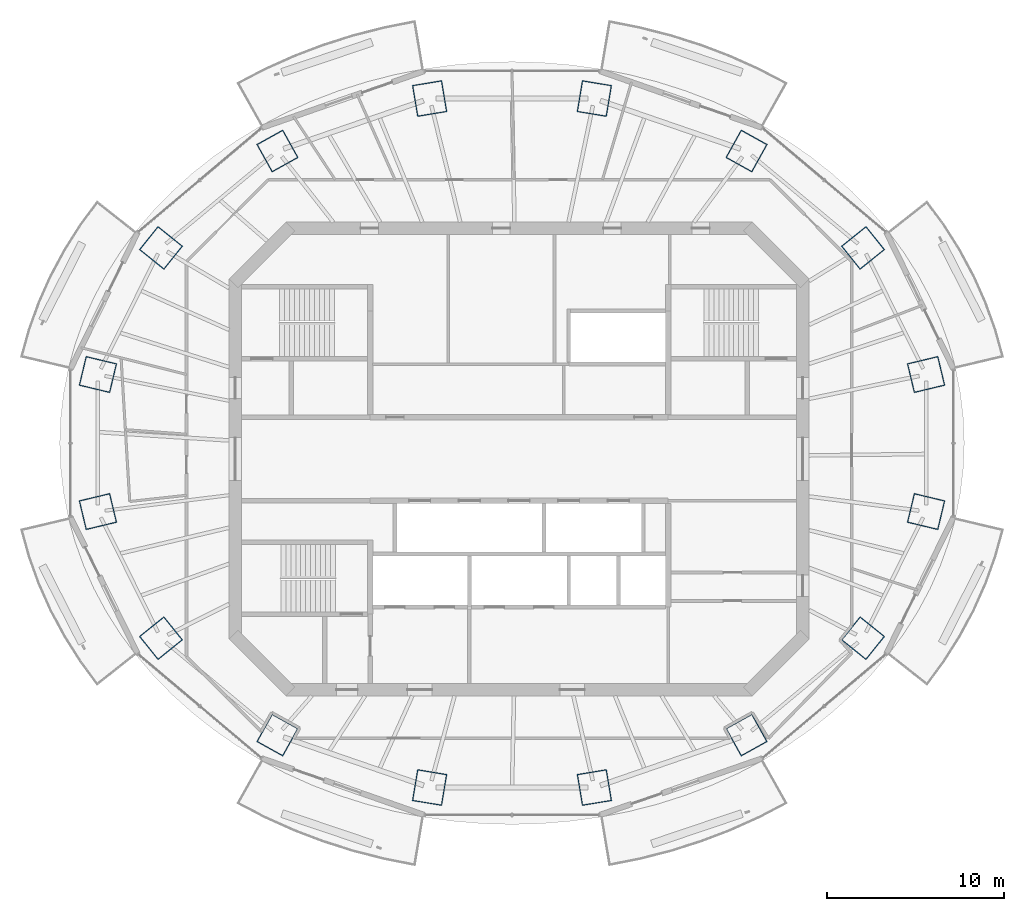
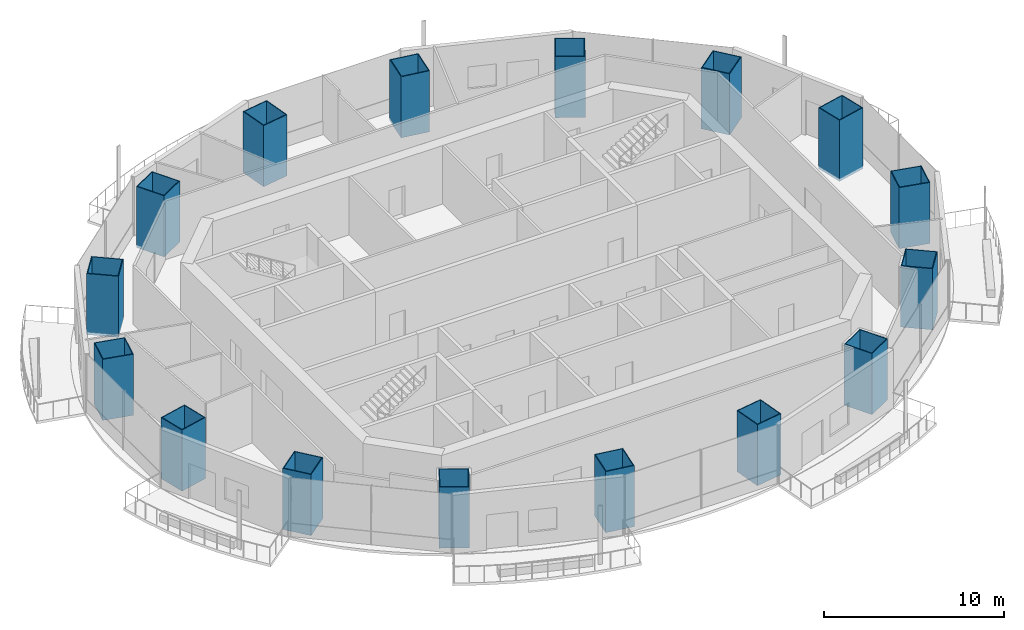
# One storey, part 1 of 15: 16 columns.
"""IFC4 building model written with IfcOpenShell, lengths in metres."""

from ifc_helpers import new_model, si_unit, direction, frame, origin, origin_2d, place, context, subcontext, project, spatial, rectangle, hollow_rectangle, extrude, material, material_profile, profile_set, type_object, element, save


model = new_model("IFC4")

# Units and contexts
model_context = context("Model", 3, precision=1e-05, world=origin(), true_north=direction((0.0, 1.0)))
body_context = subcontext(model_context, "Body", "Model", "MODEL_VIEW")
ifc_project = project(units=[si_unit("LENGTHUNIT", "METRE"), si_unit("AREAUNIT", "SQUARE_METRE"), si_unit("VOLUMEUNIT", "CUBIC_METRE"), si_unit("PLANEANGLEUNIT", "RADIAN"), si_unit("MASSUNIT", "GRAM", prefix="KILO")], contexts=[model_context])

# Site, building, storey
site_placement = place(None, origin())
site = spatial("IfcSite", under=ifc_project, at=site_placement, CompositionType="ELEMENT")
building_placement = place(site_placement, origin())
building = spatial("IfcBuilding", under=site, at=building_placement, Name="Marenthal Gate Tower", CompositionType="ELEMENT")
storey_placement = place(building_placement, frame((0.0, 0.0, 388.25)))
storey = spatial("IfcBuildingStorey", under=building, at=storey_placement, Name="L88", CompositionType="ELEMENT", Elevation=388.25)

# Columns
ifc_material_1 = material(Name="Steel S460", Category="steel")
ifc_material_profile_1 = material_profile(ifc_material_1, hollow_rectangle(XDim=1.699951171875, YDim=1.800048828125, WallThickness=0.050048828125, at=origin_2d()), Name="CFT BOX 1800X1700X50")
ifc_material_2 = material(Name="Concrete 70 MPa", Category="concrete")
ifc_material_profile_2 = material_profile(ifc_material_2, rectangle(XDim=1.60009765625, YDim=1.699951171875, at=origin_2d()), Name="CFT BOX 1800X1700X50 INFILL")
ifc_profile_set = profile_set([ifc_material_profile_1, ifc_material_profile_2], Name="Steel S460 shell, Concrete 70 MPa infill")
column_type = type_object("IfcColumnType", Name="CFT BOX 1800X1700X50", PredefinedType="COLUMN", material=ifc_profile_set)
for number, where, z_axis, x_axis, name in (
    (1, (22.942626953125, 4.7626953125, -0.179931640625), (0.0, 0.0, 1.0), (0.23254240314, -0.972586258767, 0.0), "COL-L88-01"),
    (2, (19.388916015625, 11.900390625, -0.179931640625), (0.0, 0.0, 1.0), (0.626198386629, -0.779663761235, 0.0), "COL-L88-02"),
    (3, (12.822509765625, 17.363037109375, -0.179931640625), (0.0, 0.0, 1.0), (0.874036923868, -0.485859502032, 0.0), "COL-L88-03"),
    (4, (4.2431640625, 20.319580078125, -0.179931640625), (0.0, 0.0, 1.0), (0.98658270668, -0.163262251851, 0.0), "COL-L88-04"),
    (5, (-5.043212890625, 20.319580078125, -0.179931640625), (0.0, 0.0, 1.0), (0.98658270668, 0.163262251851, 0.0), "COL-L88-05"),
    (6, (-13.62255859375, 17.363037109375, -0.179931640625), (0.0, 0.0, 1.0), (0.874036923868, 0.485859502032, 0.0), "COL-L88-06"),
    (7, (-20.18896484375, 11.900390625, -0.179931640625), (0.0, 0.0, 1.0), (0.626198386629, 0.779663761235, 0.0), "COL-L88-07"),
    (8, (-23.74267578125, 4.7626953125, -0.179931640625), (0.0, 0.0, 1.0), (0.23254240314, 0.972586258767, 0.0), "COL-L88-08"),
    (9, (-23.74267578125, -2.962890625, -0.179931640625), (0.0, 0.0, 1.0), (-0.23254240314, 0.972586258767, 0.0), "COL-L88-09"),
    (10, (-20.18896484375, -10.100341796875, -0.179931640625), (0.0, 0.0, 1.0), (-0.626198386629, 0.779663761235, 0.0), "COL-L88-10"),
    (11, (-13.62255859375, -15.56298828125, -0.179931640625), (0.0, 0.0, 1.0), (-0.874036923868, 0.485859502032, 0.0), "COL-L88-11"),
    (12, (-5.043212890625, -18.51953125, -0.179931640625), (0.0, 0.0, 1.0), (-0.98658270668, 0.163262251851, 0.0), "COL-L88-12"),
    (13, (4.2431640625, -18.51953125, -0.179931640625), (0.0, 0.0, 1.0), (-0.98658270668, -0.163262251851, 0.0), "COL-L88-13"),
    (14, (12.822509765625, -15.56298828125, -0.179931640625), (0.0, 0.0, 1.0), (-0.874036923868, -0.485859502032, 0.0), "COL-L88-14"),
    (15, (19.388916015625, -10.100341796875, -0.179931640625), (0.0, 0.0, 1.0), (-0.626198386629, -0.779663761235, 0.0), "COL-L88-15"),
    (16, (22.942626953125, -2.962890625, -0.179931640625), (0.0, 0.0, 1.0), (-0.23254240314, -0.972586258767, 0.0), "COL-L88-16"),
):
    element("IfcColumn", number, at=place(storey_placement, frame(where, z_axis=z_axis, x_axis=x_axis)), inside=storey, type_object=column_type, Name=name, PredefinedType="COLUMN", context=body_context, shape_type="SweptSolid", body=[
        extrude(hollow_rectangle(XDim=1.699951171875, YDim=1.800048828125, WallThickness=0.050048828125, at=origin_2d()), origin(), (0.0, 0.0, 1.0), 4.14990234375),
    ])

save(model, "model.ifc")
